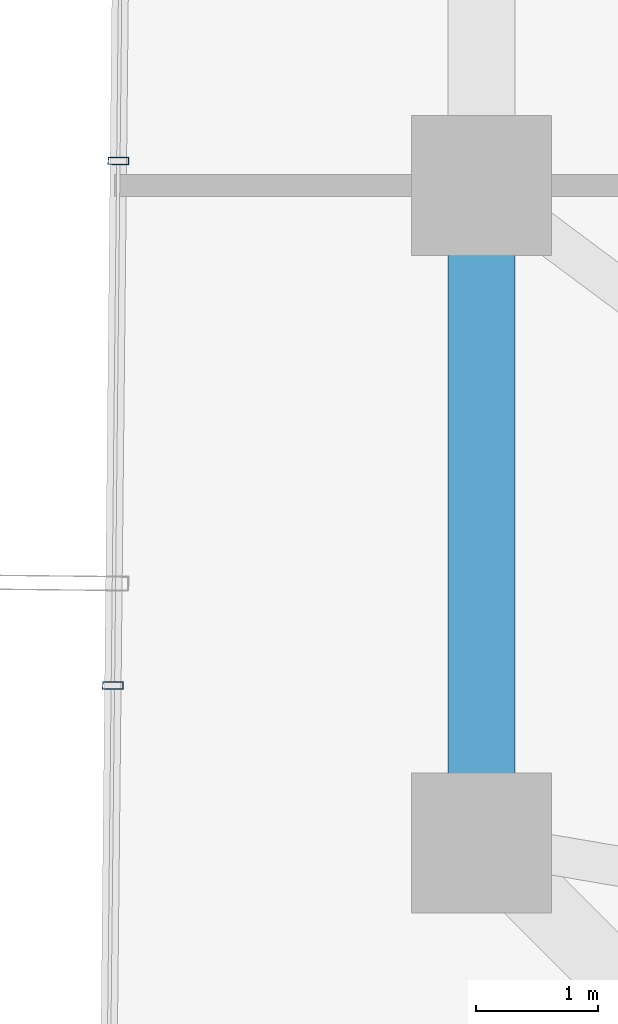
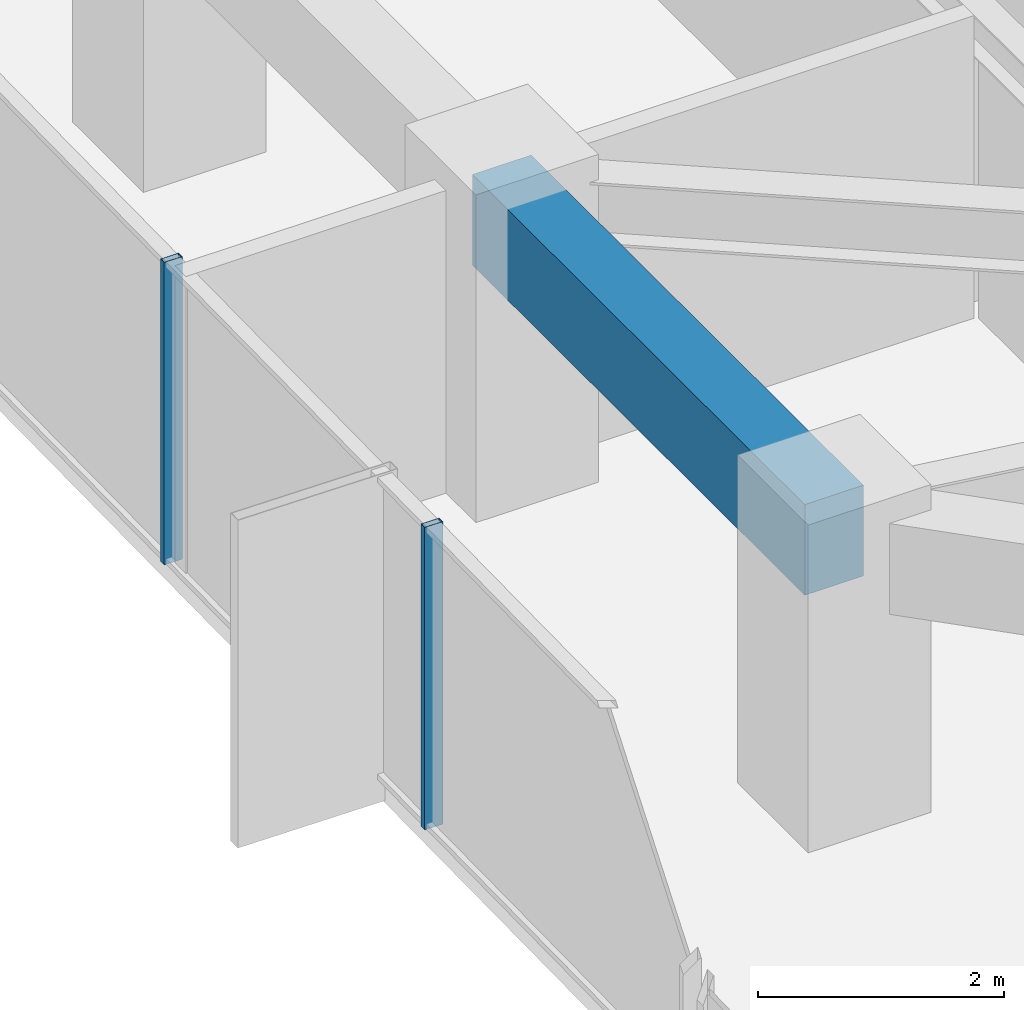
# One storey, part 9 of 30: 2 members, 1 beam, 1 element without a shape of its own.
"""IFC4 building model written with IfcOpenShell, lengths in metres."""

from ifc_helpers import new_model, si_unit, direction, frame, origin, origin_2d, place, context, subcontext, project, spatial, rectangle, hollow_rectangle, extrude, source, transform, mapped, material, layer, layer_set, material_profile, profile_set, type_object, element, aggregate, save


model = new_model("IFC4")

# Units and contexts
model_context = context("Model", 3, precision=1e-05, world=origin(), true_north=direction((0.0, 1.0)))
body_context = subcontext(model_context, "Body", "Model", "MODEL_VIEW")
ifc_project = project(units=[si_unit("LENGTHUNIT", "METRE"), si_unit("AREAUNIT", "SQUARE_METRE"), si_unit("VOLUMEUNIT", "CUBIC_METRE"), si_unit("PLANEANGLEUNIT", "RADIAN"), si_unit("MASSUNIT", "GRAM", prefix="KILO")], contexts=[model_context])

# Site, building, storey
site_placement = place(None, origin())
site = spatial("IfcSite", under=ifc_project, at=site_placement, CompositionType="ELEMENT")
building_placement = place(site_placement, origin())
building = spatial("IfcBuilding", under=site, at=building_placement, Name="Veraguas Prism Commons", CompositionType="ELEMENT")
storey_placement = place(building_placement, frame((0.0, 0.0, 126.25)))
storey = spatial("IfcBuildingStorey", under=building, at=storey_placement, Name="L35", CompositionType="ELEMENT", Elevation=126.25)

# Beam
ifc_material_1 = material(Name="Concrete C50/60", Category="concrete")
ifc_material_profile_1 = material_profile(ifc_material_1, rectangle(XDim=0.550048828125, YDim=0.89990234375, at=origin_2d()), Name="RC550X900")
ifc_profile_set_1 = profile_set([ifc_material_profile_1], Name="Concrete C50/60")
beam_type = type_object("IfcBeamType", Name="Perimeter Spandrel Lower RC 550x900", PredefinedType="SPANDREL", material=ifc_profile_set_1)
beam_placement = place(storey_placement, frame((7.800048828125, 24.0, 2.550048828125), z_axis=(0.0, -1.0, 0.0), x_axis=(1.0, 0.0, 0.0)))
element("IfcBeam", 1, at=beam_placement, inside=storey, type_object=beam_type, Name="Perimeter Spandrel Beam L35-SP08", PredefinedType="SPANDREL", context=body_context, shape_type="SweptSolid", body=[
    extrude(rectangle(XDim=0.550048828125, YDim=0.89990234375, at=origin_2d()), origin(), (0.0, 0.0, 1.0), 5.39990234375),
])

# Curtain wall, members
ifc_material_2 = material(Name="Anodised aluminium EN AW-6063 T6", Category="aluminium")
ifc_layer = layer(ifc_material_2, 0.169921875, Name="Unitised Flush Curtain Wall Zone 2", Category="aluminium")
ifc_layer_set = layer_set([ifc_layer], Name="Anodised aluminium EN AW-6063 T6")
curtain_wall_type = type_object("IfcCurtainWallType", Name="Unitised Flush Curtain Wall Zone 2", PredefinedType="NOTDEFINED", material=ifc_layer_set)
curtain_wall_placement = place(storey_placement, origin())
curtain_wall = element("IfcCurtainWall", 2, at=curtain_wall_placement, inside=storey, type_object=curtain_wall_type, Name="Tower Facade Curtain Wall L35-F3", PredefinedType="NOTDEFINED")
ifc_material_profile_2 = material_profile(ifc_material_2, hollow_rectangle(XDim=0.06005859375, YDim=0.169921875, WallThickness=0.00390625, at=origin_2d()), Name="AL60X170X4")
ifc_profile_set_2 = profile_set([ifc_material_profile_2], Name="Anodised aluminium EN AW-6063 T6")
member_type = type_object("IfcMemberType", Name="Curtain Wall Mullion Lower AL 60x170x4", PredefinedType="MULLION", material=ifc_profile_set_2)
shared_shape = source(origin(), body_context, "Body", "SweptSolid", [
    extrude(hollow_rectangle(XDim=0.06005859375, YDim=0.169921875, WallThickness=0.00390625, at=origin_2d()), origin(), (0.0, 0.0, 1.0), 3.0),
])
member_1_placement = place(storey_placement, frame((4.818603515625, 24.200927734375, 0.0), z_axis=(0.0, 0.0, 1.0), x_axis=(-0.01047876505, -0.999945096234, 0.0)))
member_1 = element("IfcMember", 3, at=member_1_placement, type_object=member_type, Name="CW-Z2 Mullion 3", PredefinedType="MULLION", context=body_context, shape_type="MappedRepresentation", body=[
    mapped(shared_shape, transform((0.0, 0.0, 0.0), scale=1.0)),
])
member_2_placement = place(storey_placement, frame((4.7734375, 19.892578125, 0.0), z_axis=(0.0, 0.0, 1.0), x_axis=(-0.01047876505, -0.999945096234, 0.0)))
member_2 = element("IfcMember", 4, at=member_2_placement, type_object=member_type, Name="CW-Z2 Mullion 4", PredefinedType="MULLION", context=body_context, shape_type="MappedRepresentation", body=[
    mapped(shared_shape, transform((0.0, 0.0, 0.0), scale=1.0)),
])
aggregate(curtain_wall, [member_1, member_2])

save(model, "model.ifc")
